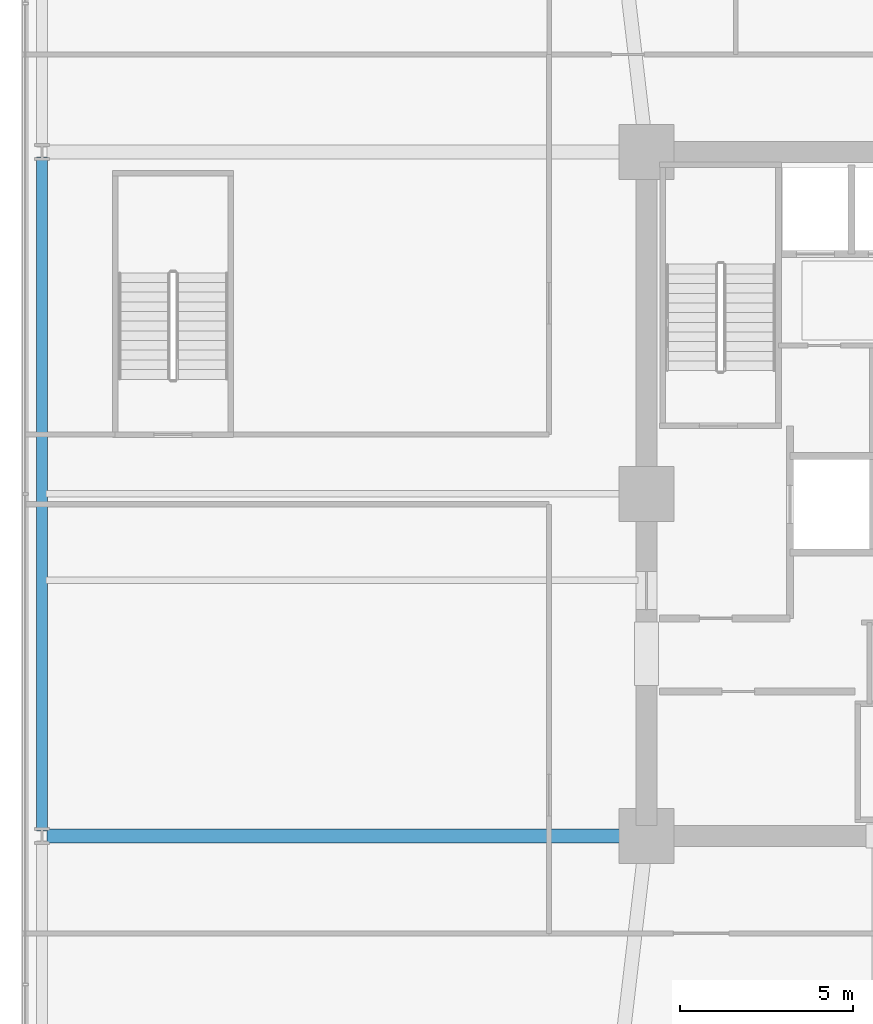
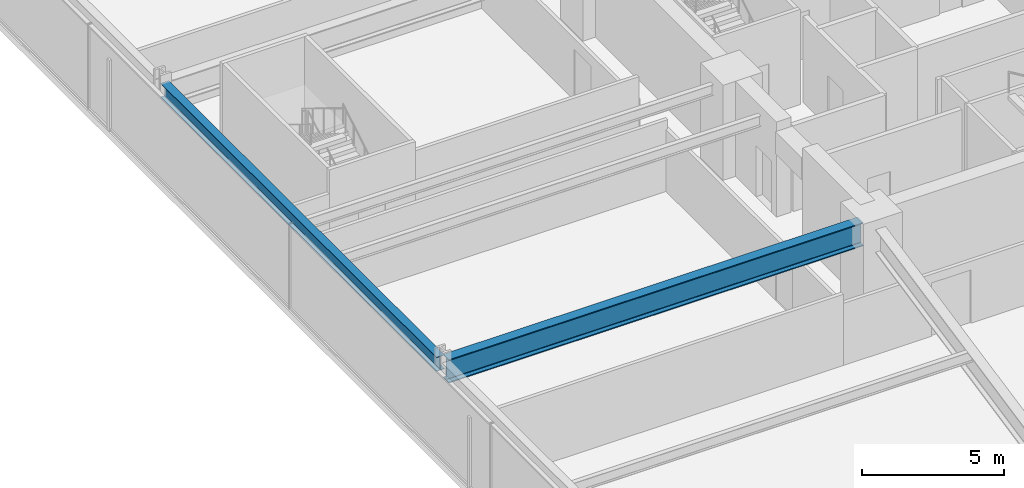
# One storey, part 10 of 39: 2 beams.
"""IFC4 building model written with IfcOpenShell, lengths in metres."""

from ifc_helpers import new_model, si_unit, direction, frame, origin, origin_2d, place, context, subcontext, project, spatial, i_section, extrude, material, material_profile, profile_set, type_object, element, save


model = new_model("IFC4")

# Units and contexts
model_context = context("Model", 3, precision=1e-05, world=origin(), true_north=direction((0.0, 1.0)))
body_context = subcontext(model_context, "Body", "Model", "MODEL_VIEW")
ifc_project = project(units=[si_unit("LENGTHUNIT", "METRE"), si_unit("AREAUNIT", "SQUARE_METRE"), si_unit("VOLUMEUNIT", "CUBIC_METRE"), si_unit("PLANEANGLEUNIT", "RADIAN"), si_unit("MASSUNIT", "GRAM", prefix="KILO")], contexts=[model_context])

# Site, building, storey
site_placement = place(None, origin())
site = spatial("IfcSite", under=ifc_project, at=site_placement, CompositionType="ELEMENT")
building_placement = place(site_placement, origin())
building = spatial("IfcBuilding", under=site, at=building_placement, Name="Kolvaren Belvedere", CompositionType="ELEMENT")
storey_placement = place(building_placement, frame((0.0, 0.0, 15.199951171875)))
storey = spatial("IfcBuildingStorey", under=building, at=storey_placement, Name="L04", CompositionType="ELEMENT", Elevation=15.199951171875)

# Beams
ifc_material_1 = material(Name="Structural steel ASTM A992 Grade 50", Category="steel")
ifc_material_profile_1 = material_profile(ifc_material_1, i_section(OverallWidth=0.40087890625, OverallDepth=1.010986328125, WebThickness=0.023681640625, FlangeThickness=0.0419921875, FilletRadius=0.030029296875, at=origin_2d()), Name="W40X297")
ifc_profile_set_1 = profile_set([ifc_material_profile_1], Name="Structural steel ASTM A992 Grade 50")
beam_type_1 = type_object("IfcBeamType", Name="BM-BALL-W40X297", PredefinedType="BEAM", material=ifc_profile_set_1)
beam_1_placement = place(storey_placement, frame((-27.25, -9.89990234375, 3.194580078125), z_axis=(1.0, 0.0, 0.0), x_axis=(0.0, 1.0, 0.0)))
element("IfcBeam", 1, at=beam_1_placement, inside=storey, type_object=beam_type_1, Name="L04 West Interior Girder S", PredefinedType="BEAM", context=body_context, shape_type="SweptSolid", body=[
    extrude(i_section(OverallWidth=0.40087890625, OverallDepth=1.010986328125, WebThickness=0.023681640625, FlangeThickness=0.0419921875, FilletRadius=0.030029296875, at=origin_2d()), origin(), (0.0, 0.0, 1.0), 16.89990234375),
])
ifc_material_2 = material(Name="Structural steel ASTM A992 Grade 50", Category="steel")
ifc_material_profile_2 = material_profile(ifc_material_2, i_section(OverallWidth=0.324951171875, OverallDepth=0.615966796875, WebThickness=0.013916015625, FlangeThickness=0.021484375, FilletRadius=0.02001953125, at=origin_2d()), Name="W24X117")
ifc_profile_set_2 = profile_set([ifc_material_profile_2], Name="Structural steel ASTM A992 Grade 50")
beam_type_2 = type_object("IfcBeamType", Name="BM-SPAN-W24X117", PredefinedType="SPANDREL", material=ifc_profile_set_2)
beam_2_placement = place(storey_placement, frame((-27.39990234375, -9.75, 3.39208984375), z_axis=(0.0, 1.0, 0.0), x_axis=(-1.0, 0.0, 0.0)))
element("IfcBeam", 2, at=beam_2_placement, inside=storey, type_object=beam_type_2, Name="L04 W Podium Spandrel 2", PredefinedType="SPANDREL", context=body_context, shape_type="SweptSolid", body=[
    extrude(i_section(OverallWidth=0.324951171875, OverallDepth=0.615966796875, WebThickness=0.013916015625, FlangeThickness=0.021484375, FilletRadius=0.02001953125, at=origin_2d()), origin(), (0.0, 0.0, 1.0), 19.5),
])

save(model, "model.ifc")
